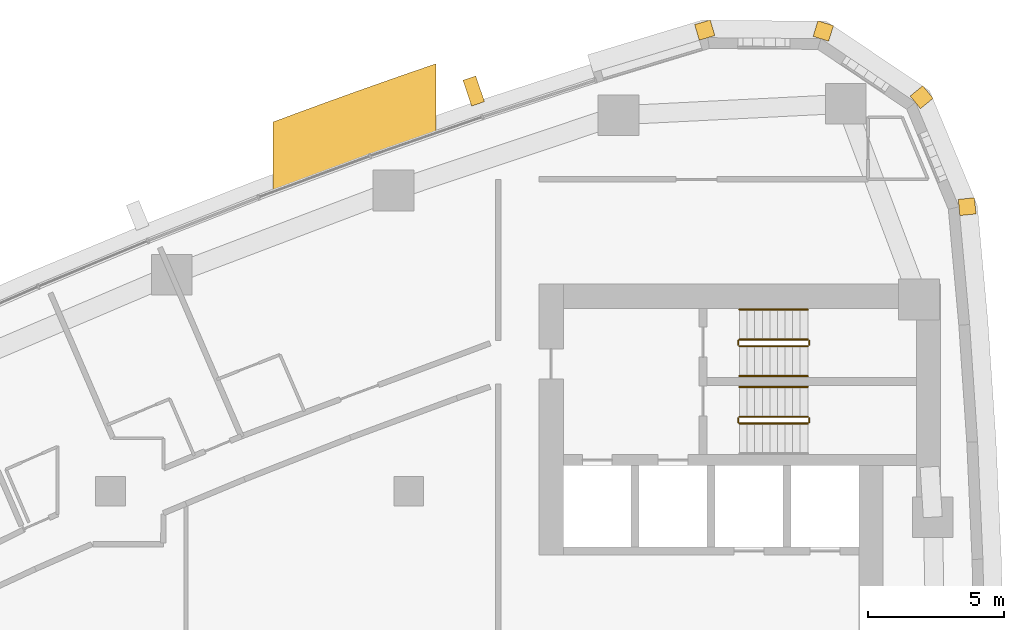
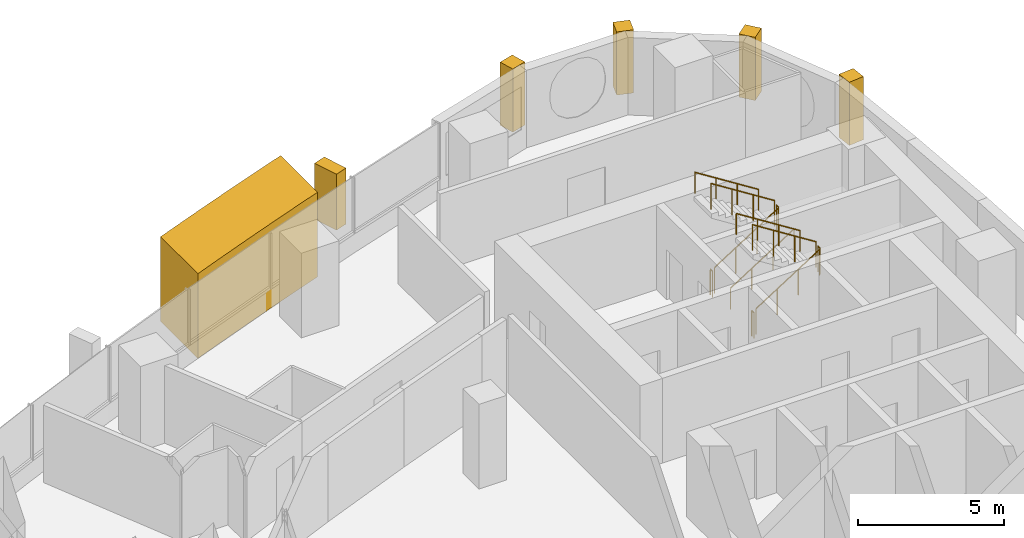
# One storey, part 17 of 17: 11 railings, 6 coverings.
"""IFC4 building model written with IfcOpenShell, lengths in metres."""

from ifc_helpers import new_model, si_unit, direction, frame, frame_2d, origin, origin_2d, place, context, subcontext, project, spatial, polyline, rectangle, circle, outline, extrude, material, layer, layer_set, type_object, element, save


model = new_model("IFC4")

# Units and contexts
model_context = context("Model", 3, precision=1e-05, world=origin(), true_north=direction((0.0, 1.0)))
body_context = subcontext(model_context, "Body", "Model", "MODEL_VIEW")
ifc_project = project(units=[si_unit("LENGTHUNIT", "METRE"), si_unit("AREAUNIT", "SQUARE_METRE"), si_unit("VOLUMEUNIT", "CUBIC_METRE"), si_unit("PLANEANGLEUNIT", "RADIAN"), si_unit("MASSUNIT", "GRAM", prefix="KILO")], contexts=[model_context])

# Site, building, storey
site_placement = place(None, origin())
site = spatial("IfcSite", under=ifc_project, at=site_placement, CompositionType="ELEMENT")
building_placement = place(site_placement, origin())
building = spatial("IfcBuilding", under=site, at=building_placement, Name="Ostrand Prow Hotel Tower", CompositionType="ELEMENT")
storey_placement = place(building_placement, frame((0.0, 0.0, 130.199951171875)))
storey = spatial("IfcBuildingStorey", under=building, at=storey_placement, Name="L31", CompositionType="ELEMENT", Elevation=130.199951171875)

# Coverings
ifc_material_1 = material(Name="Limestone cladding", Category="masonry")
ifc_layer_1 = layer(ifc_material_1, 5.0)
ifc_layer_set_1 = layer_set([ifc_layer_1], Name="Limestone cladding")
covering_type_1 = type_object("IfcCoveringType", Name="Portal jamb pilaster limestone", PredefinedType="CLADDING", material=ifc_layer_set_1)
covering_1_placement = place(storey_placement, origin())
element("IfcCovering", 1, at=covering_1_placement, inside=storey, type_object=covering_type_1, Name="Portal jamb NB L31", PredefinedType="CLADDING", context=body_context, shape_type="SweptSolid", body=[
    extrude(outline(polyline([(40.0, 20.058349609375), (41.0, 20.434326171875), (42.0, 20.804931640625), (43.0, 21.169921875), (44.0, 21.529296875), (45.0, 21.883056640625), (46.0, 22.231689453125), (46.0, 24.769287109375), (45.0, 24.425048828125), (44.0, 24.075439453125), (43.0, 23.720458984375), (42.0, 23.360107421875), (41.0, 22.994140625), (40.0, 22.622802734375), (40.0, 20.058349609375)])), origin(), (0.0, 0.0, 1.0), 3.550048828125),
])
ifc_material_2 = material(Name="Limestone cladding", Category="masonry")
ifc_layer_2 = layer(ifc_material_2, 0.5)
ifc_layer_set_2 = layer_set([ifc_layer_2], Name="Limestone cladding")
covering_type_2 = type_object("IfcCoveringType", Name="Precast stone fin 500x900", PredefinedType="CLADDING", material=ifc_layer_set_2)
covering_2_placement = place(storey_placement, frame((47.5546875, 23.290283203125, 0.900146484375), z_axis=(0.0, 0.0, 1.0), x_axis=(-0.319082696504, 0.947726876685, 0.0)))
element("IfcCovering", 2, at=covering_2_placement, inside=storey, type_object=covering_type_2, Name="Stone fin N 2", PredefinedType="CLADDING", context=body_context, shape_type="SweptSolid", body=[
    extrude(rectangle(XDim=1.0, YDim=0.5, at=frame_2d((0.5, 0.0))), origin(), (0.0, 0.0, 1.0), 2.349853515625),
])
ifc_material_3 = material(Name="Limestone cladding", Category="masonry")
ifc_layer_3 = layer(ifc_material_3, 0.60009765625)
ifc_layer_set_3 = layer_set([ifc_layer_3], Name="Limestone cladding")
covering_type_3 = type_object("IfcCoveringType", Name="Precast stone prow rib 600x600", PredefinedType="CLADDING", material=ifc_layer_set_3)
covering_3_placement = place(storey_placement, frame((65.296875, 19.467529296875, 0.60009765625), z_axis=(0.0, 0.0, 1.0), x_axis=(0.994854249607, 0.101316445052, 0.0)))
element("IfcCovering", 3, at=covering_3_placement, inside=storey, type_object=covering_type_3, Name="Stone corner rib 14a", PredefinedType="CLADDING", context=body_context, shape_type="SweptSolid", body=[
    extrude(rectangle(XDim=0.60009765625, YDim=0.60009765625, at=frame_2d((0.300048828125, 0.0))), origin(), (0.0, 0.0, 1.0), 2.64990234375),
])
for number, where, z_axis, x_axis, name in (
    (4, (63.68505859375, 23.34521484375, 0.60009765625), (0.0, 0.0, 1.0), (0.773830327772, 0.633392945825, 0.0), "Stone corner rib 15a"),
    (5, (60.201171875, 25.689697265625, 0.60009765625), (0.0, 0.0, 1.0), (0.295515682615, 0.955337888565, 0.0), "Stone corner rib 16a"),
):
    element("IfcCovering", number, at=place(storey_placement, frame(where, z_axis=z_axis, x_axis=x_axis)), inside=storey, type_object=covering_type_3, Name=name, PredefinedType="CLADDING", context=body_context, shape_type="SweptSolid", body=[
        extrude(rectangle(XDim=0.599853515625, YDim=0.60009765625, at=frame_2d((0.2998046875, 0.0))), origin(), (0.0, 0.0, 1.0), 2.64990234375),
    ])
covering_4_placement = place(storey_placement, frame((56.001953125, 25.722412109375, 0.60009765625), z_axis=(0.0, 0.0, 1.0), x_axis=(-0.280734221166, 0.959785547436, 0.0)))
element("IfcCovering", 6, at=covering_4_placement, inside=storey, type_object=covering_type_3, Name="Stone corner rib 16b", PredefinedType="CLADDING", context=body_context, shape_type="SweptSolid", body=[
    extrude(rectangle(XDim=0.60009765625, YDim=0.60009765625, at=frame_2d((0.300048828125, 0.0))), origin(), (0.0, 0.0, 1.0), 2.64990234375),
])

# Railings
ifc_material_4 = material(Name="Painted steel", Category="steel")
railing_type_1 = type_object("IfcRailingType", Name="Stair guard 1100", PredefinedType="GUARDRAIL", material=ifc_material_4)
railing_1_placement = place(storey_placement, frame((57.199951171875, 11.5, 0.177490234375)))
element("IfcRailing", 7, at=railing_1_placement, inside=storey, type_object=railing_type_1, Name="L31 ST1C stair guard 1", PredefinedType="GUARDRAIL", context=body_context, shape_type="SweptSolid", body=[
    extrude(circle(Radius=0.02392578125, at=origin_2d()), frame((0.0, 0.0, 1.076171875), z_axis=(0.84456994832, 0.0, 0.535445237532), x_axis=(0.0, 1.0, 0.0)), (0.0, 0.0, 1.0), 2.98388671875),
    extrude(circle(Radius=0.02099609375, at=origin_2d()), origin(), (0.0, 0.0, 1.0), 1.052001953125),
    extrude(circle(Radius=0.02099609375, at=origin_2d()), frame((0.840087890625, 0.0, 0.532470703125)), (0.0, 0.0, 1.0), 1.052001953125),
    extrude(circle(Radius=0.02099609375, at=origin_2d()), frame((1.679931640625, 0.0, 1.065185546875)), (0.0, 0.0, 1.0), 1.052001953125),
    extrude(circle(Radius=0.02099609375, at=origin_2d()), frame((2.52001953125, 0.0, 1.59765625)), (0.0, 0.0, 1.0), 1.052001953125),
])
railing_2_placement = place(storey_placement, frame((59.77001953125, 11.550048828125, 1.775146484375)))
element("IfcRailing", 8, at=railing_2_placement, inside=storey, type_object=railing_type_1, Name="L31 ST1C stair guard 2", PredefinedType="GUARDRAIL", context=body_context, shape_type="SweptSolid", body=[
    extrude(circle(Radius=0.02392578125, at=origin_2d()), frame((0.0, 0.0, 1.076171875), z_axis=(0.0, 1.0, 0.0), x_axis=(-1.0, 0.0, 0.0)), (0.0, 0.0, 1.0), 0.14990234375),
    extrude(circle(Radius=0.02099609375, at=origin_2d()), origin(), (0.0, 0.0, 1.0), 1.052001953125),
    extrude(circle(Radius=0.02099609375, at=origin_2d()), frame((0.0, 0.14990234375, 0.0)), (0.0, 0.0, 1.0), 1.052001953125),
])
railing_3_placement = place(storey_placement, frame((59.719970703125, 11.75, 1.95263671875)))
element("IfcRailing", 9, at=railing_3_placement, inside=storey, type_object=railing_type_1, Name="L31 ST1C stair guard 3", PredefinedType="GUARDRAIL", context=body_context, shape_type="SweptSolid", body=[
    extrude(circle(Radius=0.02392578125, at=origin_2d()), frame((0.0, 0.0, 1.076171875), z_axis=(-0.84460694969, 0.0, 0.535386869969), x_axis=(0.0, -1.0, 0.0)), (0.0, 0.0, 1.0), 2.983642578125),
    extrude(circle(Radius=0.02099609375, at=origin_2d()), origin(), (0.0, 0.0, 1.0), 1.052001953125),
    extrude(circle(Radius=0.02099609375, at=origin_2d()), frame((-0.840087890625, 0.0, 0.532470703125)), (0.0, 0.0, 1.0), 1.052001953125),
    extrude(circle(Radius=0.02099609375, at=origin_2d()), frame((-1.679931640625, 0.0, 1.06494140625)), (0.0, 0.0, 1.0), 1.052001953125),
    extrude(circle(Radius=0.02099609375, at=origin_2d()), frame((-2.52001953125, 0.0, 1.597412109375)), (0.0, 0.0, 1.0), 1.052001953125),
])
railing_4_placement = place(storey_placement, frame((57.14990234375, 11.550048828125, 0.0)))
element("IfcRailing", 10, at=railing_4_placement, inside=storey, type_object=railing_type_1, Name="L31 ST1C stair guard 4", PredefinedType="GUARDRAIL", context=body_context, shape_type="SweptSolid", body=[
    extrude(circle(Radius=0.02392578125, at=origin_2d()), frame((0.0, 0.0, 1.076171875), z_axis=(0.0, 1.0, 0.0), x_axis=(-1.0, 0.0, 0.0)), (0.0, 0.0, 1.0), 0.14990234375),
    extrude(circle(Radius=0.02099609375, at=origin_2d()), origin(), (0.0, 0.0, 1.0), 1.052001953125),
    extrude(circle(Radius=0.02099609375, at=origin_2d()), frame((0.0, 0.14990234375, 0.0)), (0.0, 0.0, 1.0), 1.052001953125),
])
railing_5_placement = place(storey_placement, frame((57.199951171875, 14.35009765625, 0.177490234375)))
element("IfcRailing", 11, at=railing_5_placement, inside=storey, type_object=railing_type_1, Name="L31 ST3C stair guard 1", PredefinedType="GUARDRAIL", context=body_context, shape_type="SweptSolid", body=[
    extrude(circle(Radius=0.02392578125, at=origin_2d()), frame((0.0, 0.0, 1.076171875), z_axis=(0.84456994832, 0.0, 0.535445237532), x_axis=(0.0, 1.0, 0.0)), (0.0, 0.0, 1.0), 2.98388671875),
    extrude(circle(Radius=0.02099609375, at=origin_2d()), origin(), (0.0, 0.0, 1.0), 1.052001953125),
    extrude(circle(Radius=0.02099609375, at=origin_2d()), frame((0.840087890625, 0.0, 0.532470703125)), (0.0, 0.0, 1.0), 1.052001953125),
    extrude(circle(Radius=0.02099609375, at=origin_2d()), frame((1.679931640625, 0.0, 1.065185546875)), (0.0, 0.0, 1.0), 1.052001953125),
    extrude(circle(Radius=0.02099609375, at=origin_2d()), frame((2.52001953125, 0.0, 1.59765625)), (0.0, 0.0, 1.0), 1.052001953125),
])
railing_6_placement = place(storey_placement, frame((59.77001953125, 14.39990234375, 1.775146484375)))
element("IfcRailing", 12, at=railing_6_placement, inside=storey, type_object=railing_type_1, Name="L31 ST3C stair guard 2", PredefinedType="GUARDRAIL", context=body_context, shape_type="SweptSolid", body=[
    extrude(circle(Radius=0.02392578125, at=origin_2d()), frame((0.0, 0.0, 1.076171875), z_axis=(0.0, 1.0, 0.0), x_axis=(-1.0, 0.0, 0.0)), (0.0, 0.0, 1.0), 0.150146484375),
    extrude(circle(Radius=0.02099609375, at=origin_2d()), origin(), (0.0, 0.0, 1.0), 1.052001953125),
    extrude(circle(Radius=0.02099609375, at=origin_2d()), frame((0.0, 0.150146484375, 0.0)), (0.0, 0.0, 1.0), 1.052001953125),
])
railing_7_placement = place(storey_placement, frame((59.719970703125, 14.60009765625, 1.95263671875)))
element("IfcRailing", 13, at=railing_7_placement, inside=storey, type_object=railing_type_1, Name="L31 ST3C stair guard 3", PredefinedType="GUARDRAIL", context=body_context, shape_type="SweptSolid", body=[
    extrude(circle(Radius=0.02392578125, at=origin_2d()), frame((0.0, 0.0, 1.076171875), z_axis=(-0.84460694969, 0.0, 0.535386869969), x_axis=(0.0, -1.0, 0.0)), (0.0, 0.0, 1.0), 2.983642578125),
    extrude(circle(Radius=0.02099609375, at=origin_2d()), origin(), (0.0, 0.0, 1.0), 1.052001953125),
    extrude(circle(Radius=0.02099609375, at=origin_2d()), frame((-0.840087890625, 0.0, 0.532470703125)), (0.0, 0.0, 1.0), 1.052001953125),
    extrude(circle(Radius=0.02099609375, at=origin_2d()), frame((-1.679931640625, 0.0, 1.06494140625)), (0.0, 0.0, 1.0), 1.052001953125),
    extrude(circle(Radius=0.02099609375, at=origin_2d()), frame((-2.52001953125, 0.0, 1.597412109375)), (0.0, 0.0, 1.0), 1.052001953125),
])
railing_8_placement = place(storey_placement, frame((57.14990234375, 14.39990234375, 0.0)))
element("IfcRailing", 14, at=railing_8_placement, inside=storey, type_object=railing_type_1, Name="L31 ST3C stair guard 4", PredefinedType="GUARDRAIL", context=body_context, shape_type="SweptSolid", body=[
    extrude(circle(Radius=0.02392578125, at=origin_2d()), frame((0.0, 0.0, 1.076171875), z_axis=(0.0, 1.0, 0.0), x_axis=(-1.0, 0.0, 0.0)), (0.0, 0.0, 1.0), 0.150146484375),
    extrude(circle(Radius=0.02099609375, at=origin_2d()), origin(), (0.0, 0.0, 1.0), 1.052001953125),
    extrude(circle(Radius=0.02099609375, at=origin_2d()), frame((0.0, 0.150146484375, 0.0)), (0.0, 0.0, 1.0), 1.052001953125),
])
ifc_material_5 = material(Name="Stainless steel", Category="steel")
railing_type_2 = type_object("IfcRailingType", Name="Stair handrail 900", PredefinedType="HANDRAIL", material=ifc_material_5)
railing_9_placement = place(storey_placement, frame((59.719970703125, 12.85009765625, 1.95263671875)))
element("IfcRailing", 15, at=railing_9_placement, inside=storey, type_object=railing_type_2, Name="L31 ST1C stair handrail 2", PredefinedType="HANDRAIL", context=body_context, shape_type="SweptSolid", body=[
    extrude(circle(Radius=0.02392578125, at=origin_2d()), frame((0.0, 0.0, 0.8759765625), z_axis=(-0.84460694969, 0.0, 0.535386869969), x_axis=(0.0, -1.0, 0.0)), (0.0, 0.0, 1.0), 2.983642578125),
    extrude(circle(Radius=0.02099609375, at=origin_2d()), origin(), (0.0, 0.0, 1.0), 0.851806640625),
    extrude(circle(Radius=0.02099609375, at=origin_2d()), frame((-0.840087890625, 0.0, 0.532470703125)), (0.0, 0.0, 1.0), 0.851806640625),
    extrude(circle(Radius=0.02099609375, at=origin_2d()), frame((-1.679931640625, 0.0, 1.06494140625)), (0.0, 0.0, 1.0), 0.851806640625),
    extrude(circle(Radius=0.02099609375, at=origin_2d()), frame((-2.52001953125, 0.0, 1.597412109375)), (0.0, 0.0, 1.0), 0.851806640625),
])
railing_10_placement = place(storey_placement, frame((57.199951171875, 13.25, 0.177490234375)))
element("IfcRailing", 16, at=railing_10_placement, inside=storey, type_object=railing_type_2, Name="L31 ST3C stair handrail 1", PredefinedType="HANDRAIL", context=body_context, shape_type="SweptSolid", body=[
    extrude(circle(Radius=0.02392578125, at=origin_2d()), frame((0.0, 0.0, 0.8759765625), z_axis=(0.84456994832, 0.0, 0.535445237532), x_axis=(0.0, 1.0, 0.0)), (0.0, 0.0, 1.0), 2.98388671875),
    extrude(circle(Radius=0.02099609375, at=origin_2d()), origin(), (0.0, 0.0, 1.0), 0.851806640625),
    extrude(circle(Radius=0.02099609375, at=origin_2d()), frame((0.840087890625, 0.0, 0.532470703125)), (0.0, 0.0, 1.0), 0.851806640625),
    extrude(circle(Radius=0.02099609375, at=origin_2d()), frame((1.679931640625, 0.0, 1.065185546875)), (0.0, 0.0, 1.0), 0.851806640625),
    extrude(circle(Radius=0.02099609375, at=origin_2d()), frame((2.52001953125, 0.0, 1.59765625)), (0.0, 0.0, 1.0), 0.851806640625),
])
railing_11_placement = place(storey_placement, frame((59.719970703125, 15.699951171875, 1.95263671875)))
element("IfcRailing", 17, at=railing_11_placement, inside=storey, type_object=railing_type_2, Name="L31 ST3C stair handrail 2", PredefinedType="HANDRAIL", context=body_context, shape_type="SweptSolid", body=[
    extrude(circle(Radius=0.02392578125, at=origin_2d()), frame((0.0, 0.0, 0.8759765625), z_axis=(-0.84460694969, 0.0, 0.535386869969), x_axis=(0.0, -1.0, 0.0)), (0.0, 0.0, 1.0), 2.983642578125),
    extrude(circle(Radius=0.02099609375, at=origin_2d()), origin(), (0.0, 0.0, 1.0), 0.851806640625),
    extrude(circle(Radius=0.02099609375, at=origin_2d()), frame((-0.840087890625, 0.0, 0.532470703125)), (0.0, 0.0, 1.0), 0.851806640625),
    extrude(circle(Radius=0.02099609375, at=origin_2d()), frame((-1.679931640625, 0.0, 1.06494140625)), (0.0, 0.0, 1.0), 0.851806640625),
    extrude(circle(Radius=0.02099609375, at=origin_2d()), frame((-2.52001953125, 0.0, 1.597412109375)), (0.0, 0.0, 1.0), 0.851806640625),
])

save(model, "model.ifc")
